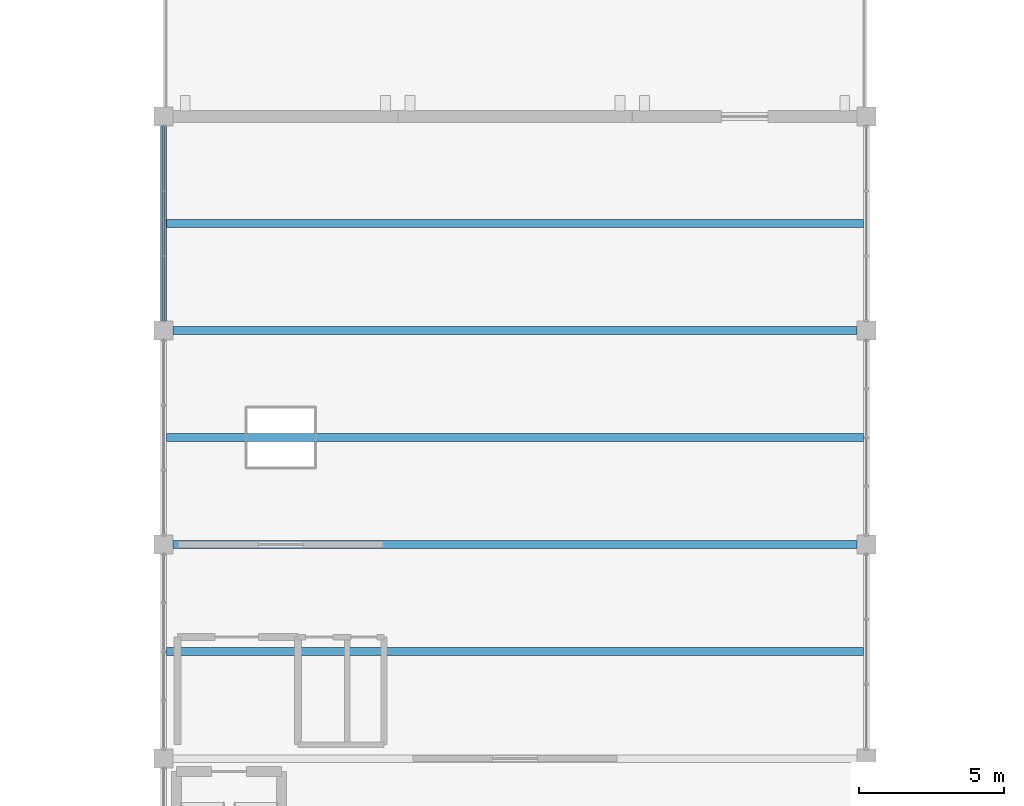
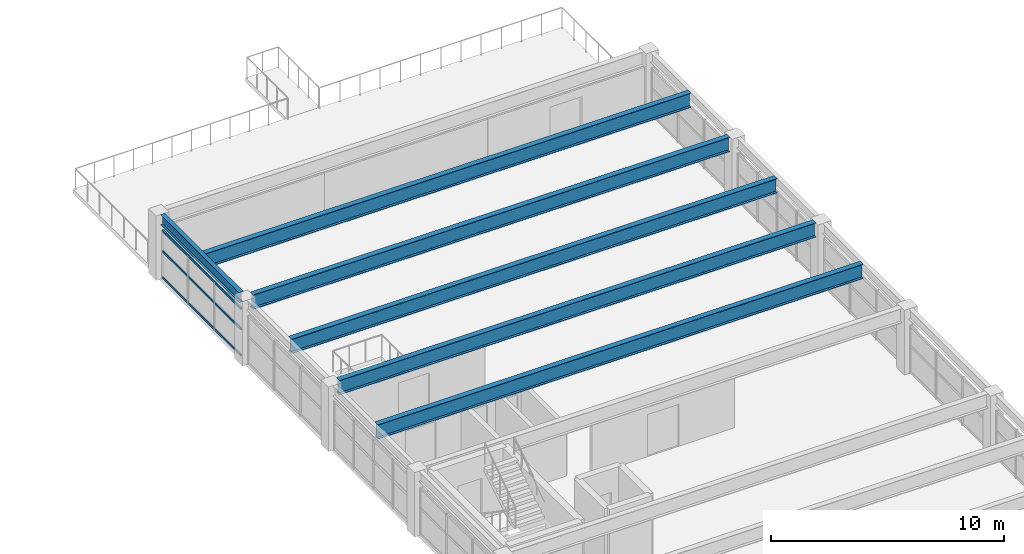
# One storey, part 49 of 93: 6 beams, 3 members, 1 element without a shape of its own.
"""IFC4 building model written with IfcOpenShell, lengths in metres."""

from ifc_helpers import new_model, si_unit, direction, frame, origin, origin_2d, place, context, subcontext, project, spatial, hollow_rectangle, i_section, extrude, material, material_profile, profile_set, type_object, element, aggregate, save


model = new_model("IFC4")

# Units and contexts
model_context = context("Model", 3, precision=1e-05, world=origin(), true_north=direction((0.0, 1.0)))
body_context = subcontext(model_context, "Body", "Model", "MODEL_VIEW")
ifc_project = project(units=[si_unit("LENGTHUNIT", "METRE"), si_unit("AREAUNIT", "SQUARE_METRE"), si_unit("VOLUMEUNIT", "CUBIC_METRE"), si_unit("PLANEANGLEUNIT", "RADIAN"), si_unit("MASSUNIT", "GRAM", prefix="KILO")], contexts=[model_context])

# Site, building, storey
site_placement = place(None, origin())
site = spatial("IfcSite", under=ifc_project, at=site_placement, CompositionType="ELEMENT")
building_placement = place(site_placement, origin())
building = spatial("IfcBuilding", under=site, at=building_placement, Name="Cimatlan Art Gallery", CompositionType="ELEMENT")
storey_placement = place(building_placement, frame((0.0, 0.0, 13.800048828125)))
storey = spatial("IfcBuildingStorey", under=building, at=storey_placement, Name="L03", CompositionType="ELEMENT", Elevation=13.800048828125)

# Beams
ifc_material_1 = material(Name="Steel ASTM A992 Grade 50", Category="steel")
ifc_material_profile_1 = material_profile(ifc_material_1, i_section(OverallWidth=0.26708984375, OverallDepth=0.761962890625, WebThickness=0.014404296875, FlangeThickness=0.021484375, at=origin_2d()), Name="W30X116")
ifc_profile_set_1 = profile_set([ifc_material_profile_1], Name="Steel ASTM A992 Grade 50")
beam_type_1 = type_object("IfcBeamType", Name="BM-SPAN24-L04", PredefinedType="BEAM", material=ifc_profile_set_1)
beam_1_placement = place(storey_placement, frame((75.0048828125, 72.0, 2.9990234375), z_axis=(1.0, 0.0, 0.0), x_axis=(0.0, 1.0, 0.0)))
element("IfcBeam", 1, at=beam_1_placement, inside=storey, type_object=beam_type_1, Name="BM-SP24M-L03-09", PredefinedType="BEAM", context=body_context, shape_type="SweptSolid", body=[
    extrude(i_section(OverallWidth=0.26708984375, OverallDepth=0.761962890625, WebThickness=0.014404296875, FlangeThickness=0.021484375, at=origin_2d()), origin(), (0.0, 0.0, 1.0), 24.090087890625),
])
beam_2_placement = place(storey_placement, frame((75.22509765625, 75.699951171875, 2.9990234375), z_axis=(1.0, 0.0, 0.0), x_axis=(0.0, 1.0, 0.0)))
element("IfcBeam", 2, at=beam_2_placement, inside=storey, type_object=beam_type_1, Name="BM-SP24-L03-10", PredefinedType="BEAM", context=body_context, shape_type="SweptSolid", body=[
    extrude(i_section(OverallWidth=0.26708984375, OverallDepth=0.761962890625, WebThickness=0.014404296875, FlangeThickness=0.021484375, at=origin_2d()), origin(), (0.0, 0.0, 1.0), 23.64990234375),
])
beam_3_placement = place(storey_placement, frame((75.0048828125, 79.39990234375, 2.9990234375), z_axis=(1.0, 0.0, 0.0), x_axis=(0.0, 1.0, 0.0)))
element("IfcBeam", 3, at=beam_3_placement, inside=storey, type_object=beam_type_1, Name="BM-SP24M-L03-10", PredefinedType="BEAM", context=body_context, shape_type="SweptSolid", body=[
    extrude(i_section(OverallWidth=0.26708984375, OverallDepth=0.761962890625, WebThickness=0.014404296875, FlangeThickness=0.021484375, at=origin_2d()), origin(), (0.0, 0.0, 1.0), 24.090087890625),
])
beam_4_placement = place(storey_placement, frame((75.22509765625, 83.10009765625, 2.9990234375), z_axis=(1.0, 0.0, 0.0), x_axis=(0.0, 1.0, 0.0)))
element("IfcBeam", 4, at=beam_4_placement, inside=storey, type_object=beam_type_1, Name="BM-SP24-L03-11", PredefinedType="BEAM", context=body_context, shape_type="SweptSolid", body=[
    extrude(i_section(OverallWidth=0.26708984375, OverallDepth=0.761962890625, WebThickness=0.014404296875, FlangeThickness=0.021484375, at=origin_2d()), origin(), (0.0, 0.0, 1.0), 23.64990234375),
])
beam_5_placement = place(storey_placement, frame((75.0048828125, 86.800048828125, 2.9990234375), z_axis=(1.0, 0.0, 0.0), x_axis=(0.0, 1.0, 0.0)))
element("IfcBeam", 5, at=beam_5_placement, inside=storey, type_object=beam_type_1, Name="BM-SP24M-L03-11", PredefinedType="BEAM", context=body_context, shape_type="SweptSolid", body=[
    extrude(i_section(OverallWidth=0.26708984375, OverallDepth=0.761962890625, WebThickness=0.014404296875, FlangeThickness=0.021484375, at=origin_2d()), origin(), (0.0, 0.0, 1.0), 24.090087890625),
])
ifc_material_profile_2 = material_profile(ifc_material_1, i_section(OverallWidth=0.2099609375, OverallDepth=0.532958984375, WebThickness=0.01025390625, FlangeThickness=0.015625, at=origin_2d()), Name="W21X62")
ifc_profile_set_2 = profile_set([ifc_material_profile_2], Name="Steel ASTM A992 Grade 50")
beam_type_2 = type_object("IfcBeamType", Name="BM-STL-W21X62", PredefinedType="BEAM", material=ifc_profile_set_2)
beam_6_placement = place(storey_placement, frame((74.89990234375, 83.425048828125, 3.113525390625), z_axis=(0.0, 1.0, 0.0), x_axis=(-1.0, 0.0, 0.0)))
element("IfcBeam", 6, at=beam_6_placement, inside=storey, type_object=beam_type_2, Name="BM-Y-L03-09-11", PredefinedType="BEAM", context=body_context, shape_type="SweptSolid", body=[
    extrude(i_section(OverallWidth=0.2099609375, OverallDepth=0.532958984375, WebThickness=0.01025390625, FlangeThickness=0.015625, at=origin_2d()), origin(), (0.0, 0.0, 1.0), 6.75),
])

# Curtain wall, members
ifc_material_2 = material(Name="Anodised bronze unitised curtain wall")
curtain_wall_type = type_object("IfcCurtainWallType", Name="CW-V-06742X02573-B3", PredefinedType="NOTDEFINED", material=ifc_material_2)
curtain_wall_placement = place(storey_placement, origin())
curtain_wall = element("IfcCurtainWall", 7, at=curtain_wall_placement, inside=storey, type_object=curtain_wall_type, Name="CW-L03-09-11-W", PredefinedType="NOTDEFINED")
ifc_material_3 = material(Name="Anodised bronze aluminium 6063-T6", Category="aluminium")
ifc_material_profile_3 = material_profile(ifc_material_3, hollow_rectangle(XDim=0.06005859375, YDim=0.110107421875, WallThickness=0.00341796875, at=origin_2d()), Name="ALU60X110X3")
ifc_profile_set_3 = profile_set([ifc_material_profile_3], Name="Anodised bronze aluminium 6063-T6")
member_type = type_object("IfcMemberType", Name="CW-TRN-110", PredefinedType="USERDEFINED", material=ifc_profile_set_3)
member_1_placement = place(storey_placement, frame((74.89990234375, 83.428955078125, 0.06005859375), z_axis=(0.0, 1.0, 0.0), x_axis=(-1.0, 0.0, 0.0)))
member_1 = element("IfcMember", 8, at=member_1_placement, type_object=member_type, Name="CW-L03-09-11-W-T1", ObjectType="TRANSOM", PredefinedType="USERDEFINED", context=body_context, shape_type="SweptSolid", body=[
    extrude(hollow_rectangle(XDim=0.06005859375, YDim=0.110107421875, WallThickness=0.00341796875, at=origin_2d()), origin(), (0.0, 0.0, 1.0), 6.741943359375),
])
member_2_placement = place(storey_placement, frame((74.89990234375, 83.428955078125, 1.44091796875), z_axis=(0.0, 1.0, 0.0), x_axis=(-1.0, 0.0, 0.0)))
member_2 = element("IfcMember", 9, at=member_2_placement, type_object=member_type, Name="CW-L03-09-11-W-T2", ObjectType="TRANSOM", PredefinedType="USERDEFINED", context=body_context, shape_type="SweptSolid", body=[
    extrude(hollow_rectangle(XDim=0.06005859375, YDim=0.110107421875, WallThickness=0.00341796875, at=origin_2d()), origin(), (0.0, 0.0, 1.0), 6.741943359375),
])
member_3_placement = place(storey_placement, frame((74.89990234375, 83.428955078125, 2.512939453125), z_axis=(0.0, 1.0, 0.0), x_axis=(-1.0, 0.0, 0.0)))
member_3 = element("IfcMember", 10, at=member_3_placement, type_object=member_type, Name="CW-L03-09-11-W-T3", ObjectType="TRANSOM", PredefinedType="USERDEFINED", context=body_context, shape_type="SweptSolid", body=[
    extrude(hollow_rectangle(XDim=0.06005859375, YDim=0.110107421875, WallThickness=0.00341796875, at=origin_2d()), origin(), (0.0, 0.0, 1.0), 6.741943359375),
])
aggregate(curtain_wall, [member_1, member_2, member_3])

save(model, "model.ifc")
